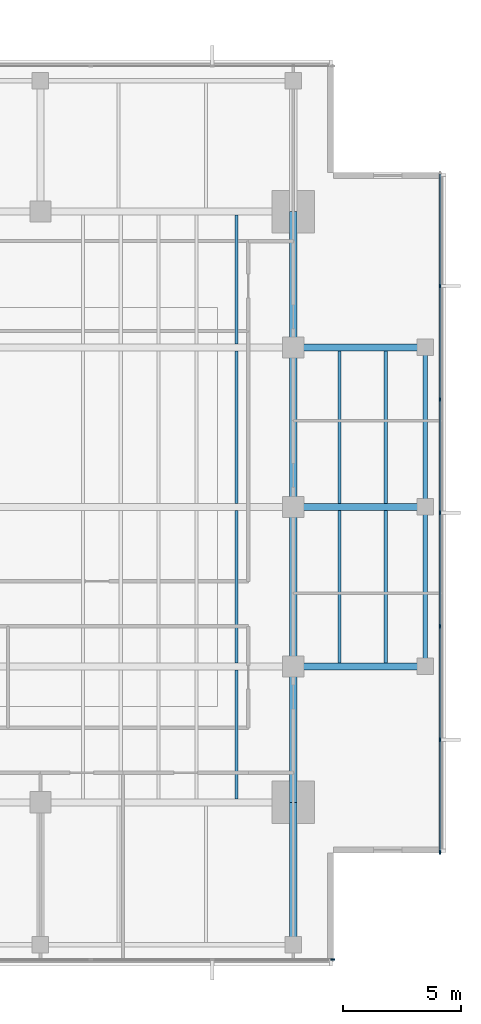
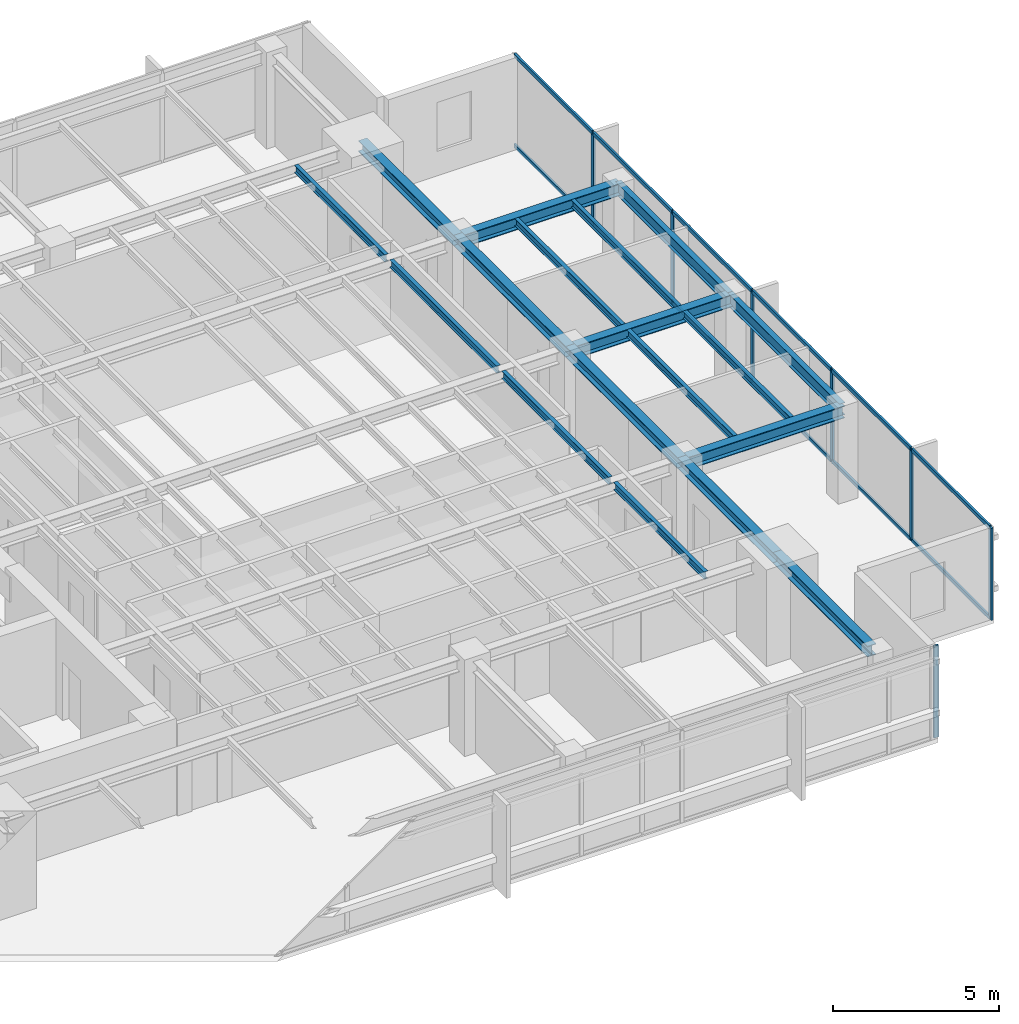
# One storey, part 4 of 14: 19 members, 18 beams, 2 elements without a shape of their own.
"""IFC4 building model written with IfcOpenShell, lengths in metres."""

from ifc_helpers import new_model, si_unit, direction, frame, origin, origin_2d, place, context, subcontext, project, spatial, rectangle, i_section, extrude, material, layer, layer_set, material_profile, profile_set, type_object, element, aggregate, save


model = new_model("IFC4")

# Units and contexts
model_context = context("Model", 3, precision=1e-05, world=origin(), true_north=direction((0.0, 1.0)))
body_context = subcontext(model_context, "Body", "Model", "MODEL_VIEW")
ifc_project = project(units=[si_unit("LENGTHUNIT", "METRE"), si_unit("AREAUNIT", "SQUARE_METRE"), si_unit("VOLUMEUNIT", "CUBIC_METRE"), si_unit("PLANEANGLEUNIT", "RADIAN"), si_unit("MASSUNIT", "GRAM", prefix="KILO")], contexts=[model_context])

# Site, building, storey
site_placement = place(None, origin())
site = spatial("IfcSite", under=ifc_project, at=site_placement, CompositionType="ELEMENT")
building_placement = place(site_placement, origin())
building = spatial("IfcBuilding", under=site, at=building_placement, Name="Kinhvarn Gate Tower", CompositionType="ELEMENT")
storey_placement = place(building_placement, frame((0.0, 0.0, 274.10009765625)))
storey = spatial("IfcBuildingStorey", under=building, at=storey_placement, Name="L73", CompositionType="ELEMENT", Elevation=274.10009765625)

# Curtain wall, member
ifc_material_1 = material(Name="Anodised aluminium AW-6063", Category="aluminium")
ifc_layer = layer(ifc_material_1, 0.179931640625)
ifc_layer_set = layer_set([ifc_layer], Name="Anodised aluminium AW-6063")
curtain_wall_type = type_object("IfcCurtainWallType", Name="CW-SYS-3", PredefinedType="NOTDEFINED", material=ifc_layer_set)
curtain_wall_1_placement = place(storey_placement, origin())
curtain_wall_1 = element("IfcCurtainWall", 1, at=curtain_wall_1_placement, inside=storey, type_object=curtain_wall_type, Name="Curtain Wall CW3 (L73)", PredefinedType="NOTDEFINED")
ifc_material_profile_1 = material_profile(ifc_material_1, rectangle(XDim=0.06494140625, YDim=0.159912109375, at=origin_2d()), Name="ALU 65x160")
ifc_profile_set_1 = profile_set([ifc_material_profile_1], Name="Anodised aluminium AW-6063")
member_type_1 = type_object("IfcMemberType", Name="CW-MUL-160", PredefinedType="MULLION", material=ifc_profile_set_1)
member_1_placement = place(storey_placement, frame((39.867431640625, 6.090087890625, 0.0), z_axis=(0.0, 0.0, 1.0), x_axis=(0.0, 1.0, 0.0)))
member_1 = element("IfcMember", 2, at=member_1_placement, type_object=member_type_1, Name="CW3 mullion 7", PredefinedType="MULLION", context=body_context, shape_type="SweptSolid", body=[
    extrude(rectangle(XDim=0.06494140625, YDim=0.159912109375, at=origin_2d()), origin(), (0.0, 0.0, 1.0), 3.389892578125),
])
aggregate(curtain_wall_1, [member_1])

# Curtain wall, members
curtain_wall_2_placement = place(storey_placement, origin())
curtain_wall_2 = element("IfcCurtainWall", 3, at=curtain_wall_2_placement, inside=storey, type_object=curtain_wall_type, Name="Curtain Wall CW3 (L73)", PredefinedType="NOTDEFINED")
member_2_placement = place(storey_placement, frame((44.409912109375, 10.632568359375, 0.0), z_axis=(0.0, 0.0, 1.0), x_axis=(-1.0, 0.0, 0.0)))
member_2 = element("IfcMember", 4, at=member_2_placement, type_object=member_type_1, Name="CW3 mullion 1", PredefinedType="MULLION", context=body_context, shape_type="SweptSolid", body=[
    extrude(rectangle(XDim=0.06494140625, YDim=0.159912109375, at=origin_2d()), origin(), (0.0, 0.0, 1.0), 3.389892578125),
])
member_3_placement = place(storey_placement, frame((44.409912109375, 15.39990234375, 0.0), z_axis=(0.0, 0.0, 1.0), x_axis=(-1.0, 0.0, 0.0)))
member_3 = element("IfcMember", 5, at=member_3_placement, type_object=member_type_1, Name="CW3 mullion 2", PredefinedType="MULLION", context=body_context, shape_type="SweptSolid", body=[
    extrude(rectangle(XDim=0.06494140625, YDim=0.159912109375, at=origin_2d()), origin(), (0.0, 0.0, 1.0), 3.389892578125),
])
member_4_placement = place(storey_placement, frame((44.409912109375, 20.199951171875, 0.0), z_axis=(0.0, 0.0, 1.0), x_axis=(-1.0, 0.0, 0.0)))
member_4 = element("IfcMember", 6, at=member_4_placement, type_object=member_type_1, Name="CW3 mullion 3", PredefinedType="MULLION", context=body_context, shape_type="SweptSolid", body=[
    extrude(rectangle(XDim=0.06494140625, YDim=0.159912109375, at=origin_2d()), origin(), (0.0, 0.0, 1.0), 3.389892578125),
])
member_5_placement = place(storey_placement, frame((44.409912109375, 25.0, 0.0), z_axis=(0.0, 0.0, 1.0), x_axis=(-1.0, 0.0, 0.0)))
member_5 = element("IfcMember", 7, at=member_5_placement, type_object=member_type_1, Name="CW3 mullion 4", PredefinedType="MULLION", context=body_context, shape_type="SweptSolid", body=[
    extrude(rectangle(XDim=0.06494140625, YDim=0.159912109375, at=origin_2d()), origin(), (0.0, 0.0, 1.0), 3.389892578125),
])
member_6_placement = place(storey_placement, frame((44.409912109375, 29.800048828125, 0.0), z_axis=(0.0, 0.0, 1.0), x_axis=(-1.0, 0.0, 0.0)))
member_6 = element("IfcMember", 8, at=member_6_placement, type_object=member_type_1, Name="CW3 mullion 5", PredefinedType="MULLION", context=body_context, shape_type="SweptSolid", body=[
    extrude(rectangle(XDim=0.06494140625, YDim=0.159912109375, at=origin_2d()), origin(), (0.0, 0.0, 1.0), 3.389892578125),
])
member_7_placement = place(storey_placement, frame((44.409912109375, 34.60009765625, 0.0), z_axis=(0.0, 0.0, 1.0), x_axis=(-1.0, 0.0, 0.0)))
member_7 = element("IfcMember", 9, at=member_7_placement, type_object=member_type_1, Name="CW3 mullion 6", PredefinedType="MULLION", context=body_context, shape_type="SweptSolid", body=[
    extrude(rectangle(XDim=0.06494140625, YDim=0.159912109375, at=origin_2d()), origin(), (0.0, 0.0, 1.0), 3.389892578125),
])
ifc_material_profile_2 = material_profile(ifc_material_1, rectangle(XDim=0.070068359375, YDim=0.139892578125, at=origin_2d()), Name="ALU 70x140")
ifc_profile_set_2 = profile_set([ifc_material_profile_2], Name="Anodised aluminium AW-6063")
member_type_2 = type_object("IfcMemberType", Name="CW-TRN-140", PredefinedType="USERDEFINED", material=ifc_profile_set_2)
member_8_placement = place(storey_placement, frame((44.409912109375, 10.6650390625, 0.034912109375), z_axis=(0.0, 1.0, 0.0), x_axis=(-1.0, 0.0, 0.0)))
member_8 = element("IfcMember", 10, at=member_8_placement, type_object=member_type_2, Name="CW3 transom 1.1", ObjectType="TRANSOM", PredefinedType="USERDEFINED", context=body_context, shape_type="SweptSolid", body=[
    extrude(rectangle(XDim=0.070068359375, YDim=0.139892578125, at=origin_2d()), origin(), (0.0, 0.0, 1.0), 4.702392578125),
])
member_9_placement = place(storey_placement, frame((44.409912109375, 10.6650390625, 3.35498046875), z_axis=(0.0, 1.0, 0.0), x_axis=(-1.0, 0.0, 0.0)))
member_9 = element("IfcMember", 11, at=member_9_placement, type_object=member_type_2, Name="CW3 transom 1.2", ObjectType="TRANSOM", PredefinedType="USERDEFINED", context=body_context, shape_type="SweptSolid", body=[
    extrude(rectangle(XDim=0.070068359375, YDim=0.139892578125, at=origin_2d()), origin(), (0.0, 0.0, 1.0), 4.702392578125),
])
member_10_placement = place(storey_placement, frame((44.409912109375, 15.4326171875, 0.034912109375), z_axis=(0.0, 1.0, 0.0), x_axis=(-1.0, 0.0, 0.0)))
member_10 = element("IfcMember", 12, at=member_10_placement, type_object=member_type_2, Name="CW3 transom 2.1", ObjectType="TRANSOM", PredefinedType="USERDEFINED", context=body_context, shape_type="SweptSolid", body=[
    extrude(rectangle(XDim=0.070068359375, YDim=0.139892578125, at=origin_2d()), origin(), (0.0, 0.0, 1.0), 4.73486328125),
])
member_11_placement = place(storey_placement, frame((44.409912109375, 15.4326171875, 3.35498046875), z_axis=(0.0, 1.0, 0.0), x_axis=(-1.0, 0.0, 0.0)))
member_11 = element("IfcMember", 13, at=member_11_placement, type_object=member_type_2, Name="CW3 transom 2.2", ObjectType="TRANSOM", PredefinedType="USERDEFINED", context=body_context, shape_type="SweptSolid", body=[
    extrude(rectangle(XDim=0.070068359375, YDim=0.139892578125, at=origin_2d()), origin(), (0.0, 0.0, 1.0), 4.73486328125),
])
member_12_placement = place(storey_placement, frame((44.409912109375, 20.232421875, 0.034912109375), z_axis=(0.0, 1.0, 0.0), x_axis=(-1.0, 0.0, 0.0)))
member_12 = element("IfcMember", 14, at=member_12_placement, type_object=member_type_2, Name="CW3 transom 3.1", ObjectType="TRANSOM", PredefinedType="USERDEFINED", context=body_context, shape_type="SweptSolid", body=[
    extrude(rectangle(XDim=0.070068359375, YDim=0.139892578125, at=origin_2d()), origin(), (0.0, 0.0, 1.0), 4.735107421875),
])
member_13_placement = place(storey_placement, frame((44.409912109375, 20.232421875, 3.35498046875), z_axis=(0.0, 1.0, 0.0), x_axis=(-1.0, 0.0, 0.0)))
member_13 = element("IfcMember", 15, at=member_13_placement, type_object=member_type_2, Name="CW3 transom 3.2", ObjectType="TRANSOM", PredefinedType="USERDEFINED", context=body_context, shape_type="SweptSolid", body=[
    extrude(rectangle(XDim=0.070068359375, YDim=0.139892578125, at=origin_2d()), origin(), (0.0, 0.0, 1.0), 4.735107421875),
])
member_14_placement = place(storey_placement, frame((44.409912109375, 25.032470703125, 0.034912109375), z_axis=(0.0, 1.0, 0.0), x_axis=(-1.0, 0.0, 0.0)))
member_14 = element("IfcMember", 16, at=member_14_placement, type_object=member_type_2, Name="CW3 transom 4.1", ObjectType="TRANSOM", PredefinedType="USERDEFINED", context=body_context, shape_type="SweptSolid", body=[
    extrude(rectangle(XDim=0.070068359375, YDim=0.139892578125, at=origin_2d()), origin(), (0.0, 0.0, 1.0), 4.735107421875),
])
member_15_placement = place(storey_placement, frame((44.409912109375, 25.032470703125, 3.35498046875), z_axis=(0.0, 1.0, 0.0), x_axis=(-1.0, 0.0, 0.0)))
member_15 = element("IfcMember", 17, at=member_15_placement, type_object=member_type_2, Name="CW3 transom 4.2", ObjectType="TRANSOM", PredefinedType="USERDEFINED", context=body_context, shape_type="SweptSolid", body=[
    extrude(rectangle(XDim=0.070068359375, YDim=0.139892578125, at=origin_2d()), origin(), (0.0, 0.0, 1.0), 4.735107421875),
])
member_16_placement = place(storey_placement, frame((44.409912109375, 29.83251953125, 0.034912109375), z_axis=(0.0, 1.0, 0.0), x_axis=(-1.0, 0.0, 0.0)))
member_16 = element("IfcMember", 18, at=member_16_placement, type_object=member_type_2, Name="CW3 transom 5.1", ObjectType="TRANSOM", PredefinedType="USERDEFINED", context=body_context, shape_type="SweptSolid", body=[
    extrude(rectangle(XDim=0.070068359375, YDim=0.139892578125, at=origin_2d()), origin(), (0.0, 0.0, 1.0), 4.73486328125),
])
member_17_placement = place(storey_placement, frame((44.409912109375, 29.83251953125, 3.35498046875), z_axis=(0.0, 1.0, 0.0), x_axis=(-1.0, 0.0, 0.0)))
member_17 = element("IfcMember", 19, at=member_17_placement, type_object=member_type_2, Name="CW3 transom 5.2", ObjectType="TRANSOM", PredefinedType="USERDEFINED", context=body_context, shape_type="SweptSolid", body=[
    extrude(rectangle(XDim=0.070068359375, YDim=0.139892578125, at=origin_2d()), origin(), (0.0, 0.0, 1.0), 4.73486328125),
])
member_18_placement = place(storey_placement, frame((44.409912109375, 34.632568359375, 0.034912109375), z_axis=(0.0, 1.0, 0.0), x_axis=(-1.0, 0.0, 0.0)))
member_18 = element("IfcMember", 20, at=member_18_placement, type_object=member_type_2, Name="CW3 transom 6.1", ObjectType="TRANSOM", PredefinedType="USERDEFINED", context=body_context, shape_type="SweptSolid", body=[
    extrude(rectangle(XDim=0.070068359375, YDim=0.139892578125, at=origin_2d()), origin(), (0.0, 0.0, 1.0), 4.702392578125),
])
member_19_placement = place(storey_placement, frame((44.409912109375, 34.632568359375, 3.35498046875), z_axis=(0.0, 1.0, 0.0), x_axis=(-1.0, 0.0, 0.0)))
member_19 = element("IfcMember", 21, at=member_19_placement, type_object=member_type_2, Name="CW3 transom 6.2", ObjectType="TRANSOM", PredefinedType="USERDEFINED", context=body_context, shape_type="SweptSolid", body=[
    extrude(rectangle(XDim=0.070068359375, YDim=0.139892578125, at=origin_2d()), origin(), (0.0, 0.0, 1.0), 4.702392578125),
])
aggregate(curtain_wall_2, [member_2, member_3, member_4, member_5, member_6, member_7, member_8, member_9, member_10, member_11, member_12, member_13, member_14, member_15, member_16, member_17, member_18, member_19])

# Beams
ifc_material_2 = material(Name="Steel S355", Category="steel")
ifc_material_profile_3 = material_profile(ifc_material_2, i_section(OverallWidth=0.300048828125, OverallDepth=0.39990234375, WebThickness=0.013427734375, FlangeThickness=0.02392578125, at=origin_2d()), Name="HEB 400")
ifc_profile_set_3 = profile_set([ifc_material_profile_3], Name="Steel S355")
beam_type_1 = type_object("IfcBeamType", Name="STL-HEB400", PredefinedType="BEAM", material=ifc_profile_set_3)
beam_1_placement = place(storey_placement, frame((38.199951171875, 7.054931640625, 3.18994140625), z_axis=(0.0, 1.0, 0.0), x_axis=(-1.0, 0.0, 0.0)))
element("IfcBeam", 22, at=beam_1_placement, inside=storey, type_object=beam_type_1, Name="Floor Beam PG-12 (L73 MCE-S)", PredefinedType="BEAM", context=body_context, shape_type="SweptSolid", body=[
    extrude(i_section(OverallWidth=0.300048828125, OverallDepth=0.39990234375, WebThickness=0.013427734375, FlangeThickness=0.02392578125, at=origin_2d()), origin(), (0.0, 0.0, 1.0), 5.695068359375),
])
beam_2_placement = place(storey_placement, frame((38.199951171875, 12.75, 3.18994140625), z_axis=(0.0, 1.0, 0.0), x_axis=(-1.0, 0.0, 0.0)))
element("IfcBeam", 23, at=beam_2_placement, inside=storey, type_object=beam_type_1, Name="Floor Beam PG-12 (L73 MG-E-12)", PredefinedType="BEAM", context=body_context, shape_type="SweptSolid", body=[
    extrude(i_section(OverallWidth=0.300048828125, OverallDepth=0.39990234375, WebThickness=0.013427734375, FlangeThickness=0.02392578125, at=origin_2d()), origin(), (0.0, 0.0, 1.0), 5.75),
])
for number, where, z_axis, x_axis, name in (
    (24, (38.199951171875, 18.5, 3.18994140625), (0.0, 1.0, 0.0), (-1.0, 0.0, 0.0), "Floor Beam PG-12 (L73 MG-E-18)"),
    (25, (38.199951171875, 25.25, 3.18994140625), (0.0, 1.0, 0.0), (-1.0, 0.0, 0.0), "Floor Beam PG-12 (L73 MG-E-25)"),
):
    element("IfcBeam", number, at=place(storey_placement, frame(where, z_axis=z_axis, x_axis=x_axis)), inside=storey, type_object=beam_type_1, Name=name, PredefinedType="BEAM", context=body_context, shape_type="SweptSolid", body=[
        extrude(i_section(OverallWidth=0.300048828125, OverallDepth=0.39990234375, WebThickness=0.013427734375, FlangeThickness=0.02392578125, at=origin_2d()), origin(), (0.0, 0.0, 1.0), 6.75),
    ])
beam_3_placement = place(storey_placement, frame((38.199951171875, 32.0, 3.18994140625), z_axis=(0.0, 1.0, 0.0), x_axis=(-1.0, 0.0, 0.0)))
element("IfcBeam", 26, at=beam_3_placement, inside=storey, type_object=beam_type_1, Name="Floor Beam PG-12 (L73 MG-E-32)", PredefinedType="BEAM", context=body_context, shape_type="SweptSolid", body=[
    extrude(i_section(OverallWidth=0.300048828125, OverallDepth=0.39990234375, WebThickness=0.013427734375, FlangeThickness=0.02392578125, at=origin_2d()), origin(), (0.0, 0.0, 1.0), 5.75),
])
ifc_material_profile_4 = material_profile(ifc_material_2, i_section(OverallWidth=0.300048828125, OverallDepth=0.449951171875, WebThickness=0.013916015625, FlangeThickness=0.02587890625, at=origin_2d()), Name="HEB 450")
ifc_profile_set_4 = profile_set([ifc_material_profile_4], Name="Steel S355")
beam_type_2 = type_object("IfcBeamType", Name="STL-HEB450", PredefinedType="BEAM", material=ifc_profile_set_4)
for number, where, z_axis, x_axis, name in (
    (27, (38.199951171875, 18.5, 3.164794921875), (1.0, 0.0, 0.0), (0.0, 1.0, 0.0), "Floor Beam PG-13 (L73 EW2-Y18)"),
    (28, (38.199951171875, 25.25, 3.164794921875), (1.0, 0.0, 0.0), (0.0, 1.0, 0.0), "Floor Beam PG-13 (L73 EW2-Y25)"),
    (29, (38.199951171875, 32.0, 3.164794921875), (1.0, 0.0, 0.0), (0.0, 1.0, 0.0), "Floor Beam PG-13 (L73 EW2-Y32)"),
):
    element("IfcBeam", number, at=place(storey_placement, frame(where, z_axis=z_axis, x_axis=x_axis)), inside=storey, type_object=beam_type_2, Name=name, PredefinedType="BEAM", context=body_context, shape_type="SweptSolid", body=[
        extrude(i_section(OverallWidth=0.300048828125, OverallDepth=0.449951171875, WebThickness=0.013916015625, FlangeThickness=0.02587890625, at=origin_2d()), origin(), (0.0, 0.0, 1.0), 5.580078125),
    ])
ifc_material_profile_5 = material_profile(ifc_material_2, i_section(OverallWidth=0.135009765625, OverallDepth=0.27001953125, WebThickness=0.006591796875, FlangeThickness=0.01025390625, at=origin_2d()), Name="IPE 270")
ifc_profile_set_5 = profile_set([ifc_material_profile_5], Name="Steel S355")
beam_type_3 = type_object("IfcBeamType", Name="STL-IPE270", PredefinedType="JOIST", material=ifc_profile_set_5)
beam_4_placement = place(storey_placement, frame((35.800048828125, 12.89990234375, 3.2548828125), z_axis=(0.0, 1.0, 0.0), x_axis=(-1.0, 0.0, 0.0)))
element("IfcBeam", 30, at=beam_4_placement, inside=storey, type_object=beam_type_3, Name="Floor Joist SB-01 (L73 JC-X358-0)", PredefinedType="JOIST", context=body_context, shape_type="SweptSolid", body=[
    extrude(i_section(OverallWidth=0.135009765625, OverallDepth=0.27001953125, WebThickness=0.006591796875, FlangeThickness=0.01025390625, at=origin_2d()), origin(), (0.0, 0.0, 1.0), 5.4501953125),
])
for number, where, z_axis, x_axis, name in (
    (31, (35.800048828125, 18.64990234375, 3.2548828125), (0.0, 1.0, 0.0), (-1.0, 0.0, 0.0), "Floor Joist SB-01 (L73 JC-X358-1)"),
    (32, (35.800048828125, 25.39990234375, 3.2548828125), (0.0, 1.0, 0.0), (-1.0, 0.0, 0.0), "Floor Joist SB-01 (L73 JC-X358-2)"),
):
    element("IfcBeam", number, at=place(storey_placement, frame(where, z_axis=z_axis, x_axis=x_axis)), inside=storey, type_object=beam_type_3, Name=name, PredefinedType="JOIST", context=body_context, shape_type="SweptSolid", body=[
        extrude(i_section(OverallWidth=0.135009765625, OverallDepth=0.27001953125, WebThickness=0.006591796875, FlangeThickness=0.01025390625, at=origin_2d()), origin(), (0.0, 0.0, 1.0), 6.4501953125),
    ])
beam_5_placement = place(storey_placement, frame((35.800048828125, 32.14990234375, 3.2548828125), z_axis=(0.0, 1.0, 0.0), x_axis=(-1.0, 0.0, 0.0)))
element("IfcBeam", 33, at=beam_5_placement, inside=storey, type_object=beam_type_3, Name="Floor Joist SB-01 (L73 JC-X358-3)", PredefinedType="JOIST", context=body_context, shape_type="SweptSolid", body=[
    extrude(i_section(OverallWidth=0.135009765625, OverallDepth=0.27001953125, WebThickness=0.006591796875, FlangeThickness=0.01025390625, at=origin_2d()), origin(), (0.0, 0.0, 1.0), 5.4501953125),
])
for number, where, z_axis, x_axis, name in (
    (34, (40.14990234375, 18.64990234375, 3.2548828125), (0.0, 1.0, 0.0), (-1.0, 0.0, 0.0), "Floor Joist SB-01 (L73 JC-X401-1)"),
    (35, (40.14990234375, 25.39990234375, 3.2548828125), (0.0, 1.0, 0.0), (-1.0, 0.0, 0.0), "Floor Joist SB-01 (L73 JC-X401-2)"),
    (36, (42.110107421875, 18.64990234375, 3.2548828125), (0.0, 1.0, 0.0), (-1.0, 0.0, 0.0), "Floor Joist SB-01 (L73 JC-X421-1)"),
    (37, (42.110107421875, 25.39990234375, 3.2548828125), (0.0, 1.0, 0.0), (-1.0, 0.0, 0.0), "Floor Joist SB-01 (L73 JC-X421-2)"),
):
    element("IfcBeam", number, at=place(storey_placement, frame(where, z_axis=z_axis, x_axis=x_axis)), inside=storey, type_object=beam_type_3, Name=name, PredefinedType="JOIST", context=body_context, shape_type="SweptSolid", body=[
        extrude(i_section(OverallWidth=0.135009765625, OverallDepth=0.27001953125, WebThickness=0.006591796875, FlangeThickness=0.01025390625, at=origin_2d()), origin(), (0.0, 0.0, 1.0), 6.4501953125),
    ])
ifc_material_profile_6 = material_profile(ifc_material_2, i_section(OverallWidth=0.18994140625, OverallDepth=0.449951171875, WebThickness=0.009521484375, FlangeThickness=0.0146484375, at=origin_2d()), Name="IPE 450")
ifc_profile_set_6 = profile_set([ifc_material_profile_6], Name="Steel S355")
beam_type_4 = type_object("IfcBeamType", Name="STL-IPE450", PredefinedType="JOIST", material=ifc_profile_set_6)
for number, where, z_axis, x_axis, name in (
    (38, (43.780029296875, 18.5, 3.164794921875), (0.0, 1.0, 0.0), (-1.0, 0.0, 0.0), "Floor Joist SB-06 (L73 SP-E2)"),
    (39, (43.780029296875, 25.25, 3.164794921875), (0.0, 1.0, 0.0), (-1.0, 0.0, 0.0), "Floor Joist SB-06 (L73 SP-E3)"),
):
    element("IfcBeam", number, at=place(storey_placement, frame(where, z_axis=z_axis, x_axis=x_axis)), inside=storey, type_object=beam_type_4, Name=name, PredefinedType="JOIST", context=body_context, shape_type="SweptSolid", body=[
        extrude(i_section(OverallWidth=0.18994140625, OverallDepth=0.449951171875, WebThickness=0.009521484375, FlangeThickness=0.0146484375, at=origin_2d()), origin(), (0.0, 0.0, 1.0), 6.75),
    ])

save(model, "model.ifc")
